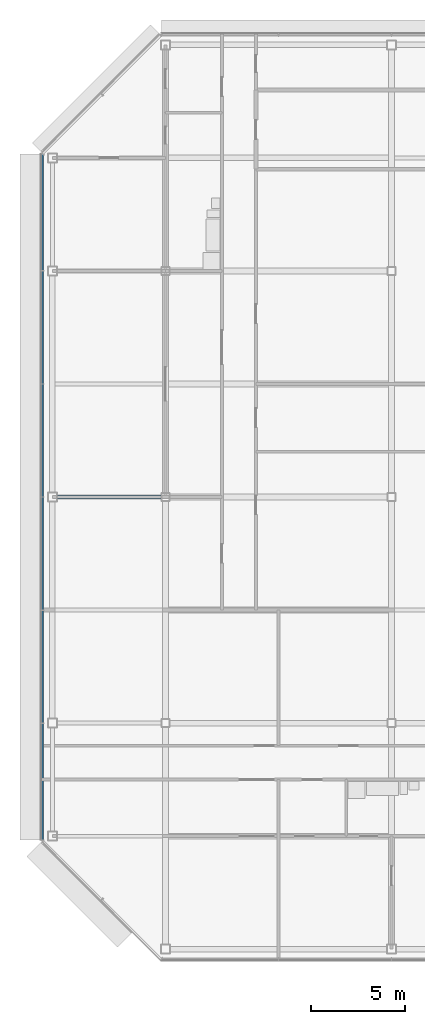
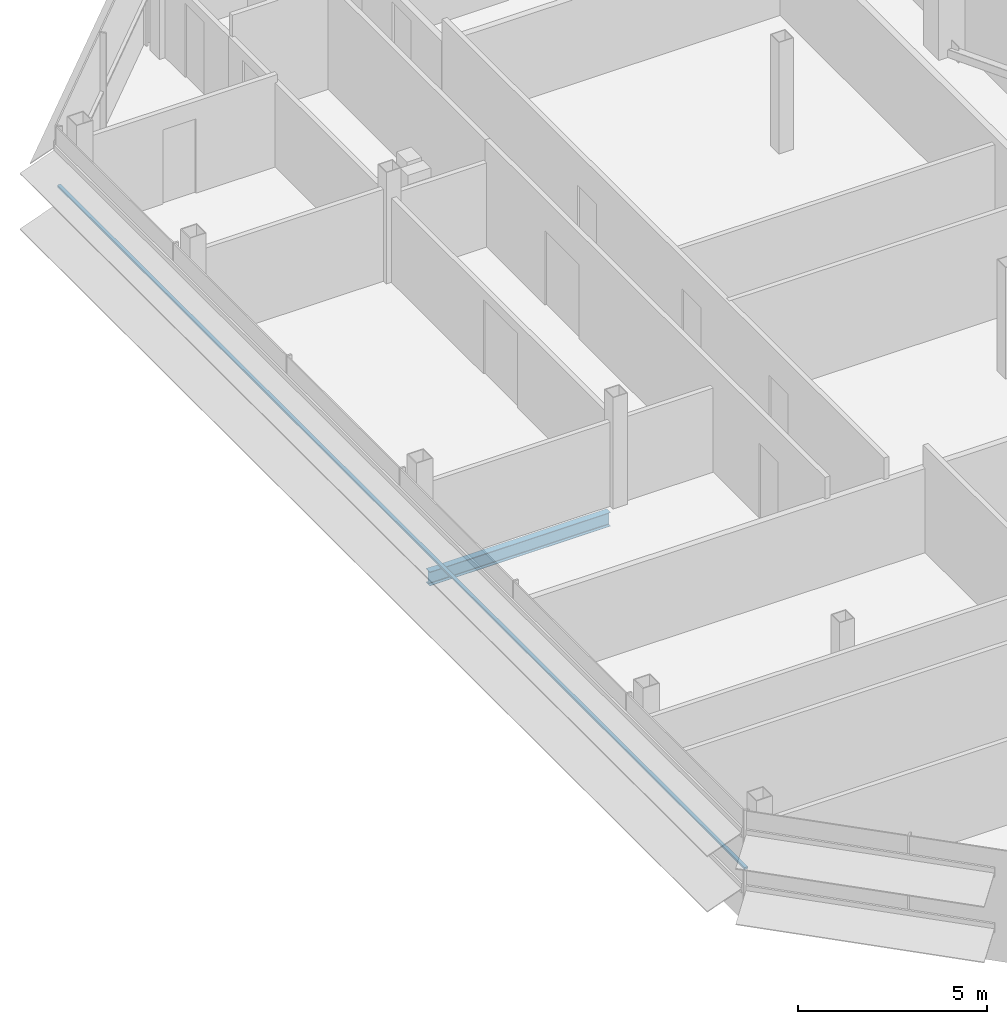
# One storey, part 7 of 27: 1 beam, 1 member, 1 element without a shape of its own.
"""IFC4 building model written with IfcOpenShell, lengths in metres."""

from ifc_helpers import new_model, si_unit, direction, frame, origin, origin_2d, place, context, subcontext, project, spatial, rectangle, i_section, extrude, material, material_profile, profile_set, type_object, element, aggregate, save


model = new_model("IFC4")

# Units and contexts
model_context = context("Model", 3, precision=1e-05, world=origin(), true_north=direction((0.0, 1.0)))
body_context = subcontext(model_context, "Body", "Model", "MODEL_VIEW")
ifc_project = project(units=[si_unit("LENGTHUNIT", "METRE"), si_unit("AREAUNIT", "SQUARE_METRE"), si_unit("VOLUMEUNIT", "CUBIC_METRE"), si_unit("PLANEANGLEUNIT", "RADIAN"), si_unit("MASSUNIT", "GRAM", prefix="KILO")], contexts=[model_context])

# Site, building, storey
site_placement = place(None, origin())
site = spatial("IfcSite", under=ifc_project, at=site_placement, CompositionType="ELEMENT")
building_placement = place(site_placement, origin())
building = spatial("IfcBuilding", under=site, at=building_placement, Name="Sorahane Residences", CompositionType="ELEMENT")
storey_placement = place(building_placement, frame((0.0, 0.0, 316.0)))
storey = spatial("IfcBuildingStorey", under=building, at=storey_placement, Name="L75", CompositionType="ELEMENT", Elevation=316.0)

# Curtain wall, member
ifc_material_1 = material(Name="Dark low-e glass and black anodised aluminium", Category="aluminium")
curtain_wall_type = type_object("IfcCurtainWallType", Name="Curtain wall CW-1 Typical unitised wall", PredefinedType="NOTDEFINED", material=ifc_material_1)
curtain_wall_placement = place(storey_placement, origin())
curtain_wall = element("IfcCurtainWall", 1, at=curtain_wall_placement, inside=storey, type_object=curtain_wall_type, Name="CW-1 curtain wall L75 W1", PredefinedType="NOTDEFINED")
ifc_material_2 = material(Name="Black anodised aluminium", Category="aluminium")
ifc_material_profile_1 = material_profile(ifc_material_2, rectangle(XDim=0.10009765625, YDim=0.06005859375, at=origin_2d()), Name="Curtain wall transom CW-1 black anodised aluminium 60x100")
ifc_profile_set_1 = profile_set([ifc_material_profile_1], Name="Black anodised aluminium")
member_type = type_object("IfcMemberType", Name="Curtain wall transom CW-1 black anodised aluminium 60x100", PredefinedType="USERDEFINED", material=ifc_profile_set_1)
member_placement = place(storey_placement, frame((-18.530029296875, 42.198486328125, 1.5), z_axis=(0.0, -1.0, 0.0), x_axis=(1.0, 0.0, 0.0)))
member = element("IfcMember", 2, at=member_placement, type_object=member_type, Name="CW-1 transom L75 W1", ObjectType="TRANSOM", PredefinedType="USERDEFINED", context=body_context, shape_type="SweptSolid", body=[
    extrude(rectangle(XDim=0.10009765625, YDim=0.06005859375, at=origin_2d()), origin(), (0.0, 0.0, 1.0), 36.39697265625),
])
aggregate(curtain_wall, [member])

# Beam
ifc_material_3 = material(Name="Steel Q355B", Category="steel")
ifc_material_profile_2 = material_profile(ifc_material_3, i_section(OverallWidth=0.199951171875, OverallDepth=0.449951171875, WebThickness=0.009033203125, FlangeThickness=0.013916015625, FilletRadius=0.02001953125, at=origin_2d()), Name="HN 450x200x9x14")
ifc_profile_set_2 = profile_set([ifc_material_profile_2], Name="Steel Q355B")
beam_type = type_object("IfcBeamType", Name="Steel floor beam HN 450x200x9x14 Q355B", PredefinedType="BEAM", material=ifc_profile_set_2)
beam_placement = place(storey_placement, frame((-17.75, 24.0, -0.405029296875), z_axis=(1.0, 0.0, 0.0), x_axis=(0.0, 1.0, 0.0)))
element("IfcBeam", 3, at=beam_placement, inside=storey, type_object=beam_type, Name="Beam L75 011", PredefinedType="BEAM", context=body_context, shape_type="SweptSolid", body=[
    extrude(i_section(OverallWidth=0.199951171875, OverallDepth=0.449951171875, WebThickness=0.009033203125, FlangeThickness=0.013916015625, FilletRadius=0.02001953125, at=origin_2d()), origin(), (0.0, 0.0, 1.0), 5.52490234375),
])

save(model, "model.ifc")
